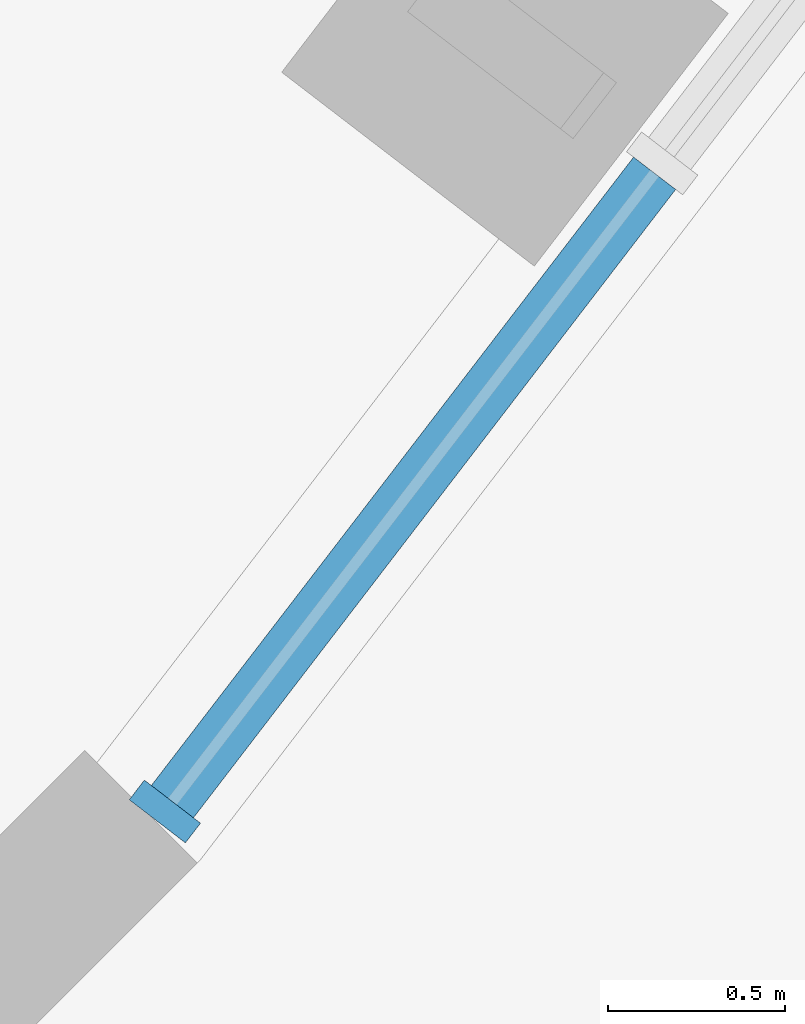
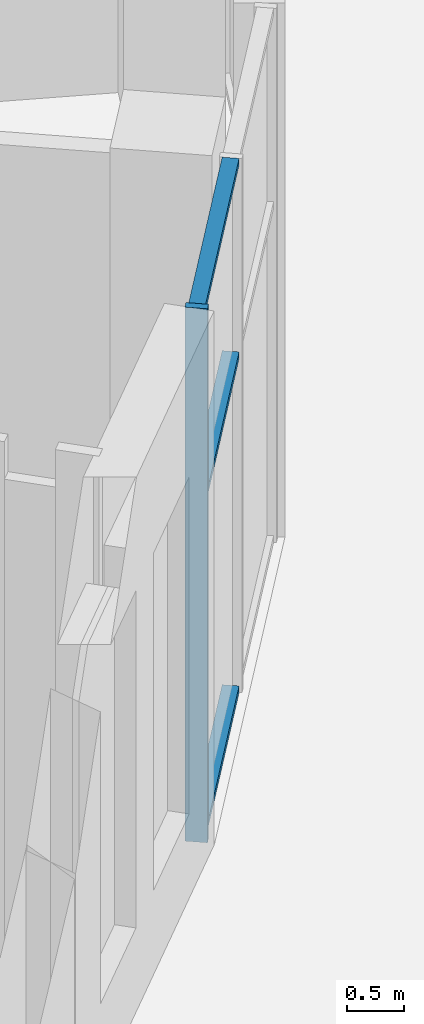
# One storey, part 2 of 19: 4 members, 1 element without a shape of its own.
"""IFC4 building model written with IfcOpenShell, lengths in metres."""

from ifc_helpers import new_model, si_unit, direction, frame, origin, origin_2d, place, context, subcontext, project, spatial, rectangle, extrude, material, material_profile, profile_set, type_object, element, aggregate, save


model = new_model("IFC4")

# Units and contexts
model_context = context("Model", 3, precision=1e-05, world=origin(), true_north=direction((0.0, 1.0)))
body_context = subcontext(model_context, "Body", "Model", "MODEL_VIEW")
ifc_project = project(units=[si_unit("LENGTHUNIT", "METRE"), si_unit("AREAUNIT", "SQUARE_METRE"), si_unit("VOLUMEUNIT", "CUBIC_METRE"), si_unit("PLANEANGLEUNIT", "RADIAN"), si_unit("MASSUNIT", "GRAM", prefix="KILO")], contexts=[model_context])

# Site, building, storey
site_placement = place(None, origin())
site = spatial("IfcSite", under=ifc_project, at=site_placement, CompositionType="ELEMENT")
building_placement = place(site_placement, origin())
building = spatial("IfcBuilding", under=site, at=building_placement, Name="Golbaran Civic Tower", CompositionType="ELEMENT")
storey_placement = place(building_placement, origin())
storey = spatial("IfcBuildingStorey", under=building, at=storey_placement, Name="L00", CompositionType="ELEMENT", Elevation=0.0)

# Curtain wall, members
ifc_material_1 = material(Name="Aluminium and glass", Category="aluminium")
curtain_wall_type = type_object("IfcCurtainWallType", Name="PODIUM GLAZED SCREEN", PredefinedType="NOTDEFINED", material=ifc_material_1)
curtain_wall_placement = place(storey_placement, origin())
curtain_wall = element("IfcCurtainWall", 1, at=curtain_wall_placement, inside=storey, type_object=curtain_wall_type, Name="Public service hall screen facet 43 CW5", ObjectType="PODIUM SCREEN", PredefinedType="USERDEFINED")
ifc_material_2 = material(Name="Aluminium", Category="aluminium")
ifc_material_profile_1 = material_profile(ifc_material_2, rectangle(XDim=0.199951171875, YDim=0.070068359375, at=origin_2d()), Name="PODIUM GLAZED SCREEN MULLION")
ifc_profile_set_1 = profile_set([ifc_material_profile_1], Name="Aluminium")
member_type_1 = type_object("IfcMemberType", Name="PODIUM GLAZED SCREEN MULLION", PredefinedType="MULLION", material=ifc_profile_set_1)
member_1_placement = place(storey_placement, frame((26.96484375, -23.60107421875, 0.0), z_axis=(0.0, 0.0, 1.0), x_axis=(-0.793353340238, 0.608761429078, 0.0)))
member_1 = element("IfcMember", 2, at=member_1_placement, type_object=member_type_1, Name="CW5 mullion 1", PredefinedType="MULLION", context=body_context, shape_type="SweptSolid", body=[
    extrude(rectangle(XDim=0.199951171875, YDim=0.070068359375, at=origin_2d()), origin(), (0.0, 0.0, 1.0), 5.699951171875),
])
ifc_material_profile_2 = material_profile(ifc_material_2, rectangle(XDim=0.14990234375, YDim=0.070068359375, at=origin_2d()), Name="PODIUM GLAZED SCREEN TRANSOM")
ifc_profile_set_2 = profile_set([ifc_material_profile_2], Name="Aluminium")
member_type_2 = type_object("IfcMemberType", Name="PODIUM GLAZED SCREEN TRANSOM", PredefinedType="USERDEFINED", material=ifc_profile_set_2)
member_2_placement = place(storey_placement, frame((26.986083984375, -23.5732421875, 0.034912109375), z_axis=(0.608809209153, 0.793316675011, 0.0), x_axis=(-0.793316675011, 0.608809209153, 0.0)))
member_2 = element("IfcMember", 3, at=member_2_placement, type_object=member_type_2, Name="CW5 transom 1.1", ObjectType="TRANSOM", PredefinedType="USERDEFINED", context=body_context, shape_type="SweptSolid", body=[
    extrude(rectangle(XDim=0.14990234375, YDim=0.070068359375, at=origin_2d()), origin(), (0.0, 0.0, 1.0), 2.23876953125),
])
member_3_placement = place(storey_placement, frame((26.986083984375, -23.5732421875, 3.60009765625), z_axis=(0.608809209153, 0.793316675011, 0.0), x_axis=(-0.793316675011, 0.608809209153, 0.0)))
member_3 = element("IfcMember", 4, at=member_3_placement, type_object=member_type_2, Name="CW5 transom 1.2", ObjectType="TRANSOM", PredefinedType="USERDEFINED", context=body_context, shape_type="SweptSolid", body=[
    extrude(rectangle(XDim=0.14990234375, YDim=0.070068359375, at=origin_2d()), origin(), (0.0, 0.0, 1.0), 2.23876953125),
])
member_4_placement = place(storey_placement, frame((26.986083984375, -23.5732421875, 5.6650390625), z_axis=(0.608809209153, 0.793316675011, 0.0), x_axis=(-0.793316675011, 0.608809209153, 0.0)))
member_4 = element("IfcMember", 5, at=member_4_placement, type_object=member_type_2, Name="CW5 transom 1.3", ObjectType="TRANSOM", PredefinedType="USERDEFINED", context=body_context, shape_type="SweptSolid", body=[
    extrude(rectangle(XDim=0.14990234375, YDim=0.070068359375, at=origin_2d()), origin(), (0.0, 0.0, 1.0), 2.23876953125),
])
aggregate(curtain_wall, [member_1, member_2, member_3, member_4])

save(model, "model.ifc")
